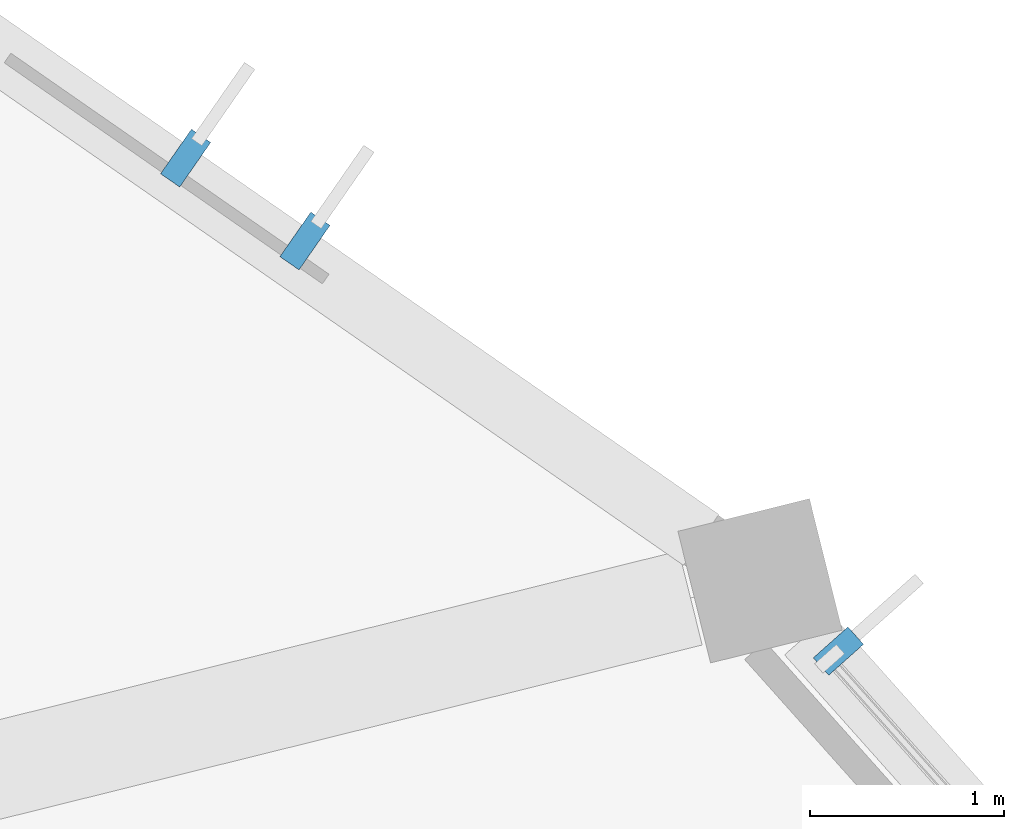
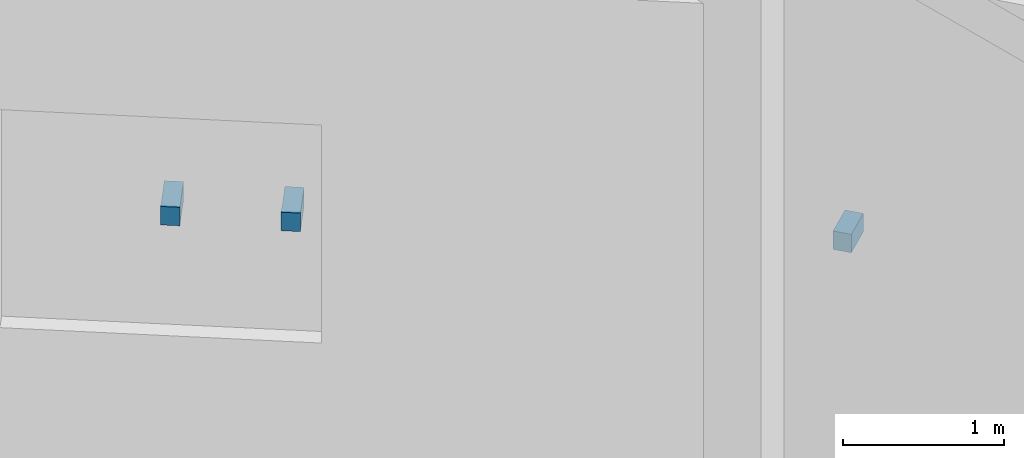
# One storey, part 149 of 179: 3 discrete accessories.
"""IFC4 building model written with IfcOpenShell, lengths in metres."""

from ifc_helpers import new_model, si_unit, direction, frame, origin, origin_2d, place, context, subcontext, project, spatial, rectangle, extrude, material, type_object, element, save


model = new_model("IFC4")

# Units and contexts
model_context = context("Model", 3, precision=1e-05, world=origin(), true_north=direction((0.0, 1.0)))
body_context = subcontext(model_context, "Body", "Model", "MODEL_VIEW")
ifc_project = project(units=[si_unit("LENGTHUNIT", "METRE"), si_unit("AREAUNIT", "SQUARE_METRE"), si_unit("VOLUMEUNIT", "CUBIC_METRE"), si_unit("PLANEANGLEUNIT", "RADIAN"), si_unit("MASSUNIT", "GRAM", prefix="KILO")], contexts=[model_context])

# Site, building, storey
site_placement = place(None, origin())
site = spatial("IfcSite", under=ifc_project, at=site_placement, CompositionType="ELEMENT")
building_placement = place(site_placement, origin())
building = spatial("IfcBuilding", under=site, at=building_placement, Name="Corvandel Quay Wholesale Market", CompositionType="ELEMENT")
storey_placement = place(building_placement, frame((0.0, 0.0, 6.0)))
storey = spatial("IfcBuildingStorey", under=building, at=storey_placement, Name="L01", CompositionType="ELEMENT", Elevation=6.0)

# Discrete accessories
ifc_material = material(Name="Austenitic stainless steel Grade 316", Category="steel")
discrete_accessory_type = type_object("IfcDiscreteAccessoryType", Name="Stainless Solar Fin Fixing Bracket BRK01", PredefinedType="USERDEFINED", material=ifc_material)
discrete_accessory_placement = place(storey_placement, frame((164.03125, 127.952880859375, 1.9052734375), z_axis=(0.0, 0.0, 1.0), x_axis=(0.746289766155, 0.665621202286, 0.0)))
element("IfcDiscreteAccessory", 1, at=discrete_accessory_placement, inside=storey, type_object=discrete_accessory_type, Name="Fin Bracket 0428", ObjectType="BRACKET", PredefinedType="USERDEFINED", context=body_context, shape_type="SweptSolid", body=[
    extrude(rectangle(XDim=0.239990234375, YDim=0.1201171875, at=origin_2d()), origin(), (0.0, 0.0, 1.0), 0.139892578125),
])
for number, where, z_axis, x_axis, name in (
    (2, (161.277099609375, 130.0703125, 1.7548828125), (0.0, 0.0, 1.0), (0.570570241419, 0.821248804935, 0.0), "Fin Bracket 0434"),
    (3, (160.660888671875, 130.498291015625, 1.7548828125), (0.0, 0.0, 1.0), (0.570570241419, 0.821248804935, 0.0), "Fin Bracket 0435"),
):
    element("IfcDiscreteAccessory", number, at=place(storey_placement, frame(where, z_axis=z_axis, x_axis=x_axis)), inside=storey, type_object=discrete_accessory_type, Name=name, ObjectType="BRACKET", PredefinedType="USERDEFINED", context=body_context, shape_type="SweptSolid", body=[
        extrude(rectangle(XDim=0.280029296875, YDim=0.1201171875, at=origin_2d()), origin(), (0.0, 0.0, 1.0), 0.139892578125),
    ])

save(model, "model.ifc")
